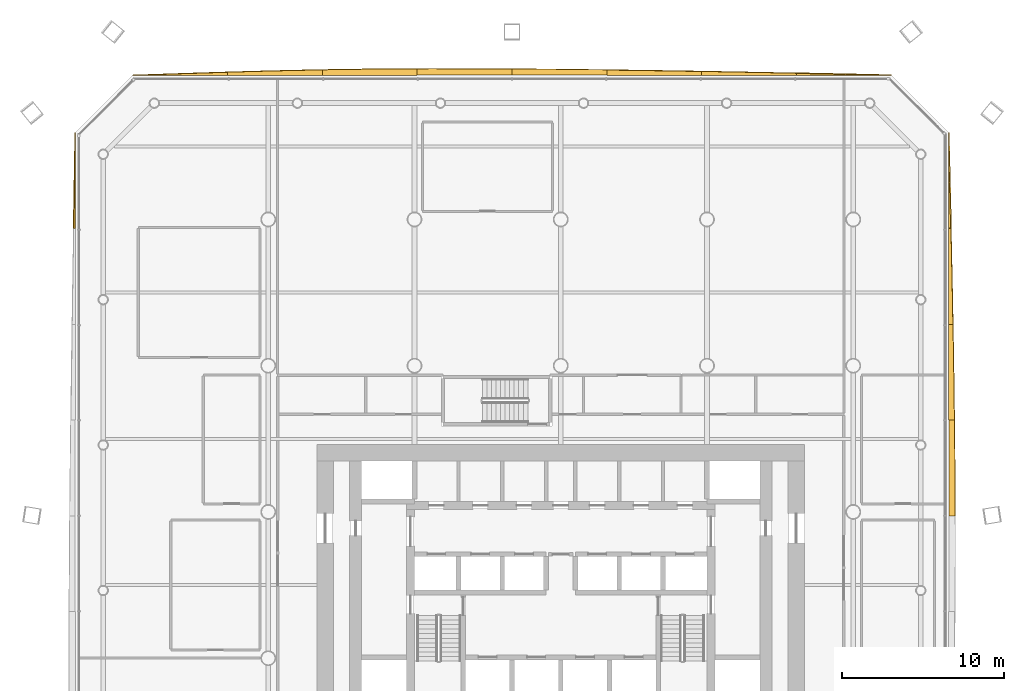
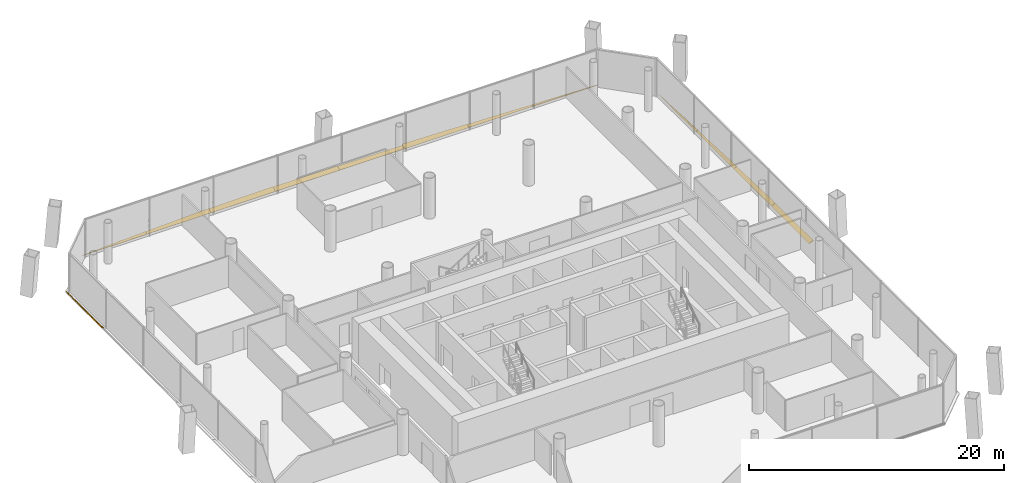
# One storey, part 21 of 21: 13 shading devices.
"""IFC4 building model written with IfcOpenShell, lengths in metres."""

from ifc_helpers import new_model, si_unit, direction, frame, origin, place, context, subcontext, project, spatial, polyline, outline, extrude, material, layer, layer_set, type_object, element, save


model = new_model("IFC4")

# Units and contexts
model_context = context("Model", 3, precision=1e-05, world=origin(), true_north=direction((0.0, 1.0)))
body_context = subcontext(model_context, "Body", "Model", "MODEL_VIEW")
ifc_project = project(units=[si_unit("LENGTHUNIT", "METRE"), si_unit("AREAUNIT", "SQUARE_METRE"), si_unit("VOLUMEUNIT", "CUBIC_METRE"), si_unit("PLANEANGLEUNIT", "RADIAN"), si_unit("MASSUNIT", "GRAM", prefix="KILO")], contexts=[model_context])

# Site, building, storey
site_placement = place(None, origin())
site = spatial("IfcSite", under=ifc_project, at=site_placement, CompositionType="ELEMENT")
building_placement = place(site_placement, origin())
building = spatial("IfcBuilding", under=site, at=building_placement, Name="Tskaro Facet Tower", CompositionType="ELEMENT")
storey_placement = place(building_placement, frame((0.0, 0.0, 38.10009765625)))
storey = spatial("IfcBuildingStorey", under=building, at=storey_placement, Name="L08", CompositionType="ELEMENT", Elevation=38.10009765625)

# Shading devices
ifc_material = material(Name="Bronze anodised aluminium 6063-T6", Category="aluminium")
ifc_layer = layer(ifc_material, 0.06005859375, Name="Bronze anodised aluminium 6063-T6")
ifc_layer_set = layer_set([ifc_layer], Name="Bronze anodised aluminium 6063-T6")
shading_device_type = type_object("IfcShadingDeviceType", Name="Bronze sun blade (FN1)", PredefinedType="USERDEFINED", material=ifc_layer_set)
shading_device_1_placement = place(storey_placement, frame((23.878662109375, -0.239013671875, 0.05419921875), z_axis=(-0.422788696264, -1.2531263e-05, 0.906228292515), x_axis=(-5.298077e-06, 0.999999999921, 1.1356185e-05)))
element("IfcShadingDevice", 1, at=shading_device_1_placement, inside=storey, type_object=shading_device_type, Name="Fin blade east 5", ObjectType="FIN", PredefinedType="USERDEFINED", context=body_context, shape_type="SweptSolid", body=[
    extrude(outline(polyline([(0.0, 0.0), (5.8945312495371835, 0.0), (5.894531249499667, -0.386322512058382), (5.157714842210413, -0.39517196618430867), (4.4208984360290815, -0.40325445898844453), (3.6840820322491457, -0.4103487433290449), (2.947265625511149, -0.4167940935930422), (2.2104492184020423, -0.42214801549694714), (1.473632812400857, -0.42673497607906125), (0.7368164075075928, -0.4305549753393846), (-1.8227631338559977e-09, -0.4334015734848031), (0.0, 0.0)])), origin(), (0.0, 0.0, -1.0), 0.06005859375),
])
shading_device_2_placement = place(storey_placement, frame((23.8740234375, 5.655517578125, 0.0517578125), z_axis=(-0.500352978137, 7.63747e-07, 0.865821515827), x_axis=(3.82143e-07, 1.0, -6.61268e-07)))
element("IfcShadingDevice", 2, at=shading_device_2_placement, inside=storey, type_object=shading_device_type, Name="Fin blade east 6", ObjectType="FIN", PredefinedType="USERDEFINED", context=body_context, shape_type="SweptSolid", body=[
    extrude(outline(polyline([(0.0, 0.0), (5.8945312499982805, 0.0), (5.894531249943076, -0.30288366880409345), (5.157714843726592, -0.31808515908166174), (4.420898437553102, -0.33240818976358655), (3.6840820311930202, -0.34630845603348626), (2.94726562496923, -0.359541644913755), (2.2104492187884346, -0.3718963741983803), (1.4736328124891915, -0.38349480037616496), (0.7368164063262402, -0.3944261491643187), (-4.845501855903214e-11, -0.40438981263961926), (0.0, 0.0)])), origin(), (0.0, 0.0, -1.0), 0.06005859375),
])
shading_device_3_placement = place(storey_placement, frame((23.86962890625, 11.550048828125, 0.049072265625), z_axis=(-0.573586065192, -1.791819e-06, 0.819145302015), x_axis=(-1.027763e-06, 0.999999999998, 1.46776e-06)))
element("IfcShadingDevice", 3, at=shading_device_3_placement, inside=storey, type_object=shading_device_type, Name="Fin blade east 7", ObjectType="FIN", PredefinedType="USERDEFINED", context=body_context, shape_type="SweptSolid", body=[
    extrude(outline(polyline([(0.0, 0.0), (5.894531249990537, -6.241077721712594e-22), (5.8945312500159135, -0.17108667030402963), (5.157714843904949, -0.19140747393352558), (4.420898437328224, -0.21124821959612627), (3.6840820312533338, -0.23068899196672654), (2.9472656250710227, -0.24978974203087906), (2.21044921867387, -0.26821044748213607), (1.4736328124202136, -0.28609114398094515), (0.7368164063100548, -0.3034318315273063), (-1.4946512550601285e-11, -0.3200924744607719), (0.0, 0.0)])), origin(), (0.0, 0.0, -1.0), 0.06005859375),
])
shading_device_4_placement = place(storey_placement, frame((23.865478515625, 17.444580078125, 0.0458984375), z_axis=(-0.642874706348, 7.709164e-06, 0.765971351865), x_axis=(4.956026e-06, 0.99999999997, -5.904999e-06)))
element("IfcShadingDevice", 4, at=shading_device_4_placement, inside=storey, type_object=shading_device_type, Name="Fin blade east 8", ObjectType="FIN", PredefinedType="USERDEFINED", context=body_context, shape_type="SweptSolid", body=[
    extrude(outline(polyline([(0.0, 0.0), (5.894531249824841, 0.0), (5.157714843983702, -0.02322540668365006), (4.420898436700912, -0.046607765199909286), (3.684082030859773, -0.06983317188355935), (2.947265625018634, -0.09305857856720941), (2.210449219409177, -0.11594002869366823), (1.4736328125897538, -0.138634474095545), (0.7368164060020126, -0.1609849629402305), (-3.5404589400768275e-10, -0.18299149522772484), (0.0, 0.0)])), origin(), (0.0, 0.0, -1.0), 0.06005859375),
])
shading_device_5_placement = place(storey_placement, frame((20.339111328125, 26.8740234375, 0.0517578125), z_axis=(-1.3823353e-05, -0.500781335531, 0.865573829198), x_axis=(-0.999999999904, 6.922477e-06, -1.1965133e-05)))
element("IfcShadingDevice", 5, at=shading_device_5_placement, inside=storey, type_object=shading_device_type, Name="Fin blade north 1", ObjectType="FIN", PredefinedType="USERDEFINED", context=body_context, shape_type="SweptSolid", body=[
    extrude(outline(polyline([(0.0, 0.0), (5.8349609369425135, 0.0), (5.8349609380433165, -0.14493090940362802), (5.105468750991722, -0.12742756333520777), (4.376220702875046, -0.10971289553112318), (3.6467285153645115, -0.09166464492311781), (2.917480466788895, -0.07340507257944813), (2.1882324228245107, -0.05523456090318629), (1.458740233623918, -0.036974988559516614), (0.7294921862794184, -0.01838183341192615), (0.0, 0.0)])), origin(), (0.0, 0.0, -1.0), 0.06005859375),
])
shading_device_6_placement = place(storey_placement, frame((14.504150390625, 26.86962890625, 0.049072265625), z_axis=(6.684733e-06, -0.573540106507, 0.819177481492), x_axis=(-0.999999999978, -3.833962e-06, 5.475983e-06)))
element("IfcShadingDevice", 6, at=shading_device_6_placement, inside=storey, type_object=shading_device_type, Name="Fin blade north 2", ObjectType="FIN", PredefinedType="USERDEFINED", context=body_context, shape_type="SweptSolid", body=[
    extrude(outline(polyline([(0.0, 0.0), (5.834716796744636, 0.0), (5.834716797228717, -0.29063133233041666), (5.1052246098887295, -0.27485071942483347), (4.375976562772853, -0.25873008757686017), (3.6467285148552087, -0.2419294178441066), (2.917236327248595, -0.22492875360903125), (2.1879882808021183, -0.20738807592924396), (1.458496094666673, -0.18964740374713493), (0.7292480464824027, -0.17162668268488923), (1.7018421138306735e-10, -0.15320597261799992), (0.0, 0.0)])), origin(), (0.0, 0.0, -1.0), 0.06005859375),
])
shading_device_7_placement = place(storey_placement, frame((8.66943359375, 26.865478515625, 0.0458984375), z_axis=(-2.61295e-07, -0.642835515149, 0.76600424311), x_axis=(-1.0, 1.6797e-07, -2.00153e-07)))
element("IfcShadingDevice", 7, at=shading_device_7_placement, inside=storey, type_object=shading_device_type, Name="Fin blade north 3", ObjectType="FIN", PredefinedType="USERDEFINED", context=body_context, shape_type="SweptSolid", body=[
    extrude(outline(polyline([(0.0, 0.0), (5.834716796874801, 0.0), (5.834716796883572, -0.4257813186712668), (5.105224609347972, -0.41346566877720603), (4.3759765624940945, -0.40064912159959815), (3.6467285156559317, -0.3871446643837777), (2.917236328159618, -0.3731092393941854), (2.187988281214145, -0.35835583387615566), (1.4587402343742601, -0.3429445888101381), (0.7292480468683672, -0.327346330989455), (1.1046132513613496e-11, -0.31071620811145295), (0.0, 0.0)])), origin(), (0.0, 0.0, -1.0), 0.06005859375),
])
shading_device_8_placement = place(storey_placement, frame((2.834716796875, 26.883544921875, 0.056396484375), z_axis=(-1.590037e-06, -0.341882046733, 0.939742872343), x_axis=(-0.999999999999, 5.43605e-07, -1.494226e-06)))
element("IfcShadingDevice", 8, at=shading_device_8_placement, inside=storey, type_object=shading_device_type, Name="Fin blade north 4", ObjectType="FIN", PredefinedType="USERDEFINED", context=body_context, shape_type="SweptSolid", body=[
    extrude(outline(polyline([(0.0, 0.0), (5.834716796867625, 0.0), (5.8347167967969815, -0.4047769813500524), (5.10546874982219, -0.3996041220302248), (4.3759765624544835, -0.3941183660016379), (3.6467285155457154, -0.387631425027712), (2.9172363282440315, -0.3808315873450267), (2.187988281534001, -0.37325999412919564), (1.4587402344258211, -0.36500011267678456), (0.7292480467920115, -0.35619790510342103), (-1.174296501687473e-10, -0.34685337140910494), (0.0, 0.0)])), origin(), (0.0, 0.0, -1.0), 0.06005859375),
])
shading_device_9_placement = place(storey_placement, frame((-3.0, 26.878662109375, 0.05419921875), z_axis=(-1.0213091e-05, -0.422866855187, 0.906191824439), x_axis=(-0.999999999948, 4.318778e-06, -9.25502e-06)))
element("IfcShadingDevice", 9, at=shading_device_9_placement, inside=storey, type_object=shading_device_type, Name="Fin blade north 5", ObjectType="FIN", PredefinedType="USERDEFINED", context=body_context, shape_type="SweptSolid", body=[
    extrude(outline(polyline([(0.0, 0.0), (5.8347167965706985, 0.0), (5.83471679783504, -0.4355844211478983), (5.105468749642188, -0.43645461381974326), (5.0412597663249255, -0.4366758520581432), (4.375976561125845, -0.43623337558134334), (3.646728515644763, -0.4353631829094984), (2.917480468205651, -0.4335047983057312), (2.1879882802923, -0.4311006982468416), (1.4587402354142105, -0.428047643754507), (0.7292480467479665, -0.4243308745469726), (6.259511305343973e-11, -0.41974391266759326), (0.0, 0.0)])), origin(), (0.0, 0.0, -1.0), 0.06005859375),
])
shading_device_10_placement = place(storey_placement, frame((-8.834716796875, 26.8740234375, 0.0517578125), z_axis=(1.0054311e-05, -0.500233173986, 0.865890738802), x_axis=(-0.999999999949, -5.0295e-06, 8.705935e-06)))
element("IfcShadingDevice", 10, at=shading_device_10_placement, inside=storey, type_object=shading_device_type, Name="Fin blade north 6", ObjectType="FIN", PredefinedType="USERDEFINED", context=body_context, shape_type="SweptSolid", body=[
    extrude(outline(polyline([(0.0, 0.0), (5.834716796580087, 0.0), (5.834716797487111, -0.38491817207499035), (5.105468750562069, -0.3995747427879567), (4.375976560649675, -0.4126858090111104), (3.6467285157066613, -0.42407282701162186), (2.9174804684012843, -0.4339143405223206), (2.187988281461934, -0.4421210776767919), (1.4587402352410184, -0.44835951212912345), (0.7294921866577401, -0.4530524420916423), (-3.3160643168558303e-10, -0.4558991965917702), (0.0, 0.0)])), origin(), (0.0, 0.0, -1.0), 0.06005859375),
])
shading_device_11_placement = place(storey_placement, frame((-14.66943359375, 26.86962890625, 0.049072265625), z_axis=(2.819272e-06, -0.573697841313, 0.819067022206), x_axis=(-0.999999999996, -1.61741e-06, 2.309173e-06)))
element("IfcShadingDevice", 11, at=shading_device_11_placement, inside=storey, type_object=shading_device_type, Name="Fin blade north 7", ObjectType="FIN", PredefinedType="USERDEFINED", context=body_context, shape_type="SweptSolid", body=[
    extrude(outline(polyline([(0.0, 0.0), (5.834716796851812, 0.0), (5.834716796889398, -0.23190904951058777), (5.105468750052658, -0.2578500649530703), (4.37622070327302, -0.282911051892316), (3.646728515361719, -0.3069519473787854), (2.91748046892227, -0.32971287929258003), (2.1879882811822737, -0.3511136892693394), (1.4587402343503644, -0.3710944727238843), (0.7294921874066693, -0.38985519719093364), (-4.7823117703957745e-11, -0.40685586465150975), (0.0, 0.0)])), origin(), (0.0, 0.0, -1.0), 0.06005859375),
])
shading_device_12_placement = place(storey_placement, frame((-20.504150390625, 26.865478515625, 0.0458984375), z_axis=(1.4405701e-05, -0.643144012712, 0.765745243998), x_axis=(-0.999999999896, -9.26494e-06, 1.1031097e-05)))
element("IfcShadingDevice", 12, at=shading_device_12_placement, inside=storey, type_object=shading_device_type, Name="Fin blade north 8", ObjectType="FIN", PredefinedType="USERDEFINED", context=body_context, shape_type="SweptSolid", body=[
    extrude(outline(polyline([(0.0, 0.0), (5.834960936894552, 0.0), (5.1054687499302736, -0.03222839617626726), (4.376220703590969, -0.06445679235253451), (3.646728516195499, -0.09634122142507717), (2.917480468993814, -0.12788168339389525), (2.188232421360938, -0.15907817825898873), (1.4587402345026543, -0.18939978939415322), (0.7294921851450158, -0.21922041584434834), (-1.1760818466719386e-09, -0.24797920904213466), (0.0, 0.0)])), origin(), (0.0, 0.0, -1.0), 0.06005859375),
])
shading_device_13_placement = place(storey_placement, frame((-29.8740234375, 23.339111328125, 0.0517578125), z_axis=(0.501434809865, -1.8642258e-05, 0.865195429431), x_axis=(-9.347877e-06, -0.999999999826, -1.6129196e-05)))
element("IfcShadingDevice", 13, at=shading_device_13_placement, inside=storey, type_object=shading_device_type, Name="Fin blade west 1", ObjectType="FIN", PredefinedType="USERDEFINED", context=body_context, shape_type="SweptSolid", body=[
    extrude(outline(polyline([(0.0, 0.0), (5.894531248975726, 0.0), (5.894531251017194, -0.11704112735955248), (5.157714842699175, -0.10271823273131635), (4.420898438318948, -0.08827291749518176), (3.6840820316565237, -0.07361637290612207), (2.9472656249941, -0.05895982831706237), (2.210449218331676, -0.04430328372800267), (1.4736328116692523, -0.02964673913894297), (0.7368164027246318, -0.014778965196958161), (0.0, 0.0)])), origin(), (0.0, 0.0, -1.0), 0.06005859375),
])

save(model, "model.ifc")
